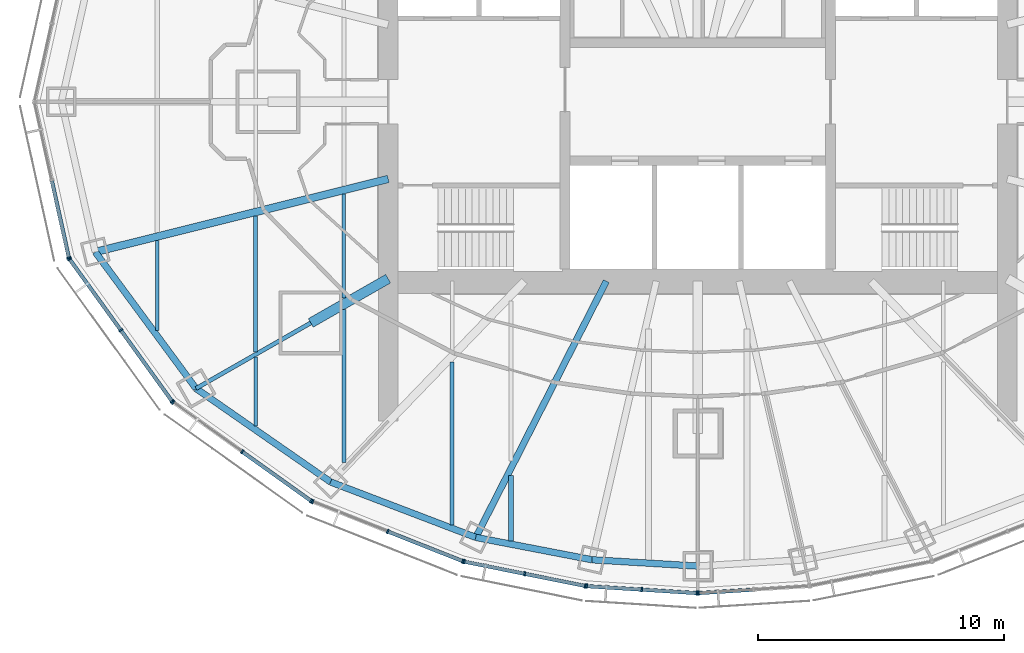
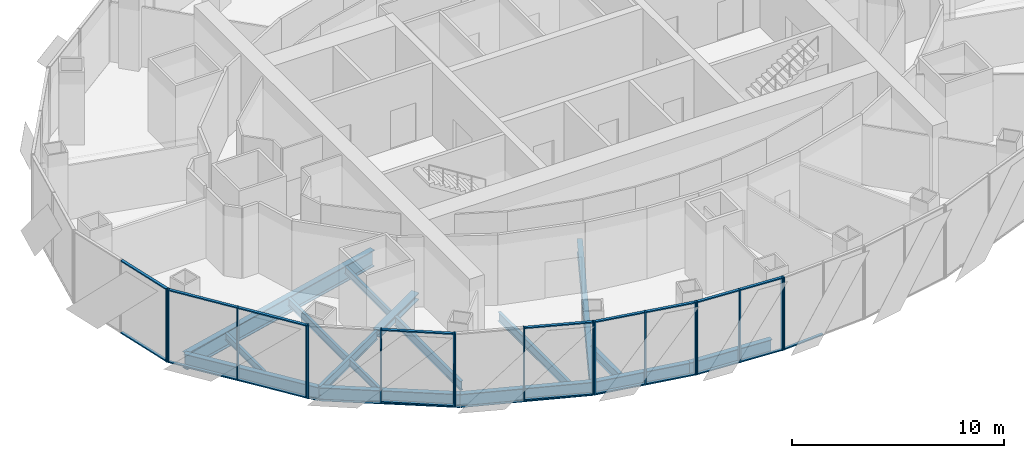
# One storey, part 2 of 17: 36 members, 16 beams, 7 elements without a shape of their own.
"""IFC4 building model written with IfcOpenShell, lengths in metres."""

from ifc_helpers import new_model, si_unit, direction, frame, origin, origin_2d, place, context, subcontext, project, spatial, rectangle, i_section, extrude, material, material_profile, profile_set, type_object, element, aggregate, save


model = new_model("IFC4")

# Units and contexts
model_context = context("Model", 3, precision=1e-05, world=origin(), true_north=direction((0.0, 1.0)))
body_context = subcontext(model_context, "Body", "Model", "MODEL_VIEW")
ifc_project = project(units=[si_unit("LENGTHUNIT", "METRE"), si_unit("AREAUNIT", "SQUARE_METRE"), si_unit("VOLUMEUNIT", "CUBIC_METRE"), si_unit("PLANEANGLEUNIT", "RADIAN"), si_unit("MASSUNIT", "GRAM", prefix="KILO")], contexts=[model_context])

# Site, building, storey
site_placement = place(None, origin())
site = spatial("IfcSite", under=ifc_project, at=site_placement, CompositionType="ELEMENT")
building_placement = place(site_placement, origin())
building = spatial("IfcBuilding", under=site, at=building_placement, Name="Lantaw Convention Tower", CompositionType="ELEMENT")
storey_placement = place(building_placement, frame((0.0, 0.0, 215.800048828125)))
storey = spatial("IfcBuildingStorey", under=building, at=storey_placement, Name="L50", CompositionType="ELEMENT", Elevation=215.800048828125)

# Beams
ifc_material_1 = material(Name="Steel ASTM A992", Category="steel")
ifc_material_profile_1 = material_profile(ifc_material_1, i_section(OverallWidth=0.2666015625, OverallDepth=0.76953125, WebThickness=0.015625, FlangeThickness=0.025390625, FilletRadius=0.0126953125, at=origin_2d()), Name="W30X132")
ifc_profile_set_1 = profile_set([ifc_material_profile_1], Name="Steel ASTM A992")
beam_type_1 = type_object("IfcBeamType", Name="Beam E W30X132", PredefinedType="SPANDREL", material=ifc_profile_set_1)
beam_1_placement = place(storey_placement, frame((-24.52197265625, -6.114013671875, -0.534912109375), z_axis=(0.593639188853, -0.804731329984, 0.0), x_axis=(0.804731329984, 0.593639188853, 0.0)))
element("IfcBeam", 1, at=beam_1_placement, inside=storey, type_object=beam_type_1, Name="Edge beam 14", PredefinedType="SPANDREL", context=body_context, shape_type="SweptSolid", body=[
    extrude(i_section(OverallWidth=0.2666015625, OverallDepth=0.76953125, WebThickness=0.015625, FlangeThickness=0.025390625, FilletRadius=0.0126953125, at=origin_2d()), origin(), (0.0, 0.0, 1.0), 6.904541015625),
])
beam_2_placement = place(storey_placement, frame((-20.423095703125, -11.67041015625, -0.534912109375), z_axis=(0.82135329406, -0.570419815869, 0.0), x_axis=(0.570419815869, 0.82135329406, 0.0)))
element("IfcBeam", 2, at=beam_2_placement, inside=storey, type_object=beam_type_1, Name="Edge beam 15", PredefinedType="SPANDREL", context=body_context, shape_type="SweptSolid", body=[
    extrude(i_section(OverallWidth=0.2666015625, OverallDepth=0.76953125, WebThickness=0.015625, FlangeThickness=0.025390625, FilletRadius=0.0126953125, at=origin_2d()), origin(), (0.0, 0.0, 1.0), 6.67041015625),
])
beam_3_placement = place(storey_placement, frame((-14.9443359375, -15.475341796875, -0.534912109375), z_axis=(0.934234988, -0.356658081637, 0.0), x_axis=(0.356658081637, 0.934234988, 0.0)))
element("IfcBeam", 3, at=beam_3_placement, inside=storey, type_object=beam_type_1, Name="Edge beam 16", PredefinedType="SPANDREL", context=body_context, shape_type="SweptSolid", body=[
    extrude(i_section(OverallWidth=0.2666015625, OverallDepth=0.76953125, WebThickness=0.015625, FlangeThickness=0.025390625, FilletRadius=0.0126953125, at=origin_2d()), origin(), (0.0, 0.0, 1.0), 6.32568359375),
])
beam_4_placement = place(storey_placement, frame((-9.03466796875, -17.7314453125, -0.534912109375), z_axis=(0.981972091702, -0.189025953556, 0.0), x_axis=(0.189025953556, 0.981972091702, 0.0)))
element("IfcBeam", 4, at=beam_4_placement, inside=storey, type_object=beam_type_1, Name="Edge beam 17", PredefinedType="SPANDREL", context=body_context, shape_type="SweptSolid", body=[
    extrude(i_section(OverallWidth=0.2666015625, OverallDepth=0.76953125, WebThickness=0.015625, FlangeThickness=0.025390625, FilletRadius=0.0126953125, at=origin_2d()), origin(), (0.0, 0.0, 1.0), 4.817626953125),
])
beam_5_placement = place(storey_placement, frame((-4.303955078125, -18.64208984375, -0.534912109375), z_axis=(0.998210730897, -0.059794119452, 0.0), x_axis=(0.059794119452, 0.998210730897, 0.0)))
element("IfcBeam", 5, at=beam_5_placement, inside=storey, type_object=beam_type_1, Name="Edge beam 18", PredefinedType="SPANDREL", context=body_context, shape_type="SweptSolid", body=[
    extrude(i_section(OverallWidth=0.2666015625, OverallDepth=0.76953125, WebThickness=0.015625, FlangeThickness=0.025390625, FilletRadius=0.0126953125, at=origin_2d()), origin(), (0.0, 0.0, 1.0), 4.311767578125),
])
ifc_material_profile_2 = material_profile(ifc_material_1, i_section(OverallWidth=0.1650390625, OverallDepth=0.52587890625, WebThickness=0.0087890625, FlangeThickness=0.011474609375, FilletRadius=0.0126953125, at=origin_2d()), Name="W21X44")
ifc_profile_set_2 = profile_set([ifc_material_profile_2], Name="Steel ASTM A992")
beam_type_2 = type_object("IfcBeamType", Name="Beam G W21X44", PredefinedType="BEAM", material=ifc_profile_set_2)
beam_6_placement = place(storey_placement, frame((-15.75, -9.0, -0.412841796875), z_axis=(-0.868237559289, -0.496148708192, 0.0), x_axis=(0.496148708192, -0.868237559289, 0.0)))
element("IfcBeam", 6, at=beam_6_placement, inside=storey, type_object=beam_type_2, Name="Floor girder on ray 15", PredefinedType="BEAM", context=body_context, shape_type="SweptSolid", body=[
    extrude(i_section(OverallWidth=0.1650390625, OverallDepth=0.52587890625, WebThickness=0.0087890625, FlangeThickness=0.011474609375, FilletRadius=0.0126953125, at=origin_2d()), origin(), (0.0, 0.0, 1.0), 5.38232421875),
])
ifc_material_profile_3 = material_profile(ifc_material_1, i_section(OverallWidth=0.2666015625, OverallDepth=0.7568359375, WebThickness=0.013916015625, FlangeThickness=0.019287109375, FilletRadius=0.0126953125, at=origin_2d()), Name="W30X108")
ifc_profile_set_3 = profile_set([ifc_material_profile_3], Name="Steel ASTM A992")
beam_type_3 = type_object("IfcBeamType", Name="Beam G W30X108", PredefinedType="BEAM", material=ifc_profile_set_3)
beam_7_placement = place(storey_placement, frame((-3.719482421875, -7.300048828125, -0.528564453125), z_axis=(-0.4539988787, -0.891002254845, 0.0), x_axis=(0.891002254845, -0.4539988787, 0.0)))
element("IfcBeam", 7, at=beam_7_placement, inside=storey, type_object=beam_type_3, Name="Floor girder on ray 17", PredefinedType="BEAM", context=body_context, shape_type="SweptSolid", body=[
    extrude(i_section(OverallWidth=0.2666015625, OverallDepth=0.7568359375, WebThickness=0.013916015625, FlangeThickness=0.019287109375, FilletRadius=0.0126953125, at=origin_2d()), origin(), (0.0, 0.0, 1.0), 11.70751953125),
])
ifc_material_profile_4 = material_profile(ifc_material_1, i_section(OverallWidth=0.307373046875, OverallDepth=0.9423828125, WebThickness=0.022216796875, FlangeThickness=0.039794921875, FilletRadius=0.0126953125, at=origin_2d()), Name="W36X232")
ifc_profile_set_4 = profile_set([ifc_material_profile_4], Name="Steel ASTM A992")
beam_type_4 = type_object("IfcBeamType", Name="Beam G W36X232", PredefinedType="BEAM", material=ifc_profile_set_4)
beam_8_placement = place(storey_placement, frame((-12.60009765625, -3.1416015625, -0.621337890625), z_axis=(-0.970296589314, -0.241918434119, 0.0), x_axis=(0.241918434119, -0.970296589314, 0.0)))
element("IfcBeam", 8, at=beam_8_placement, inside=storey, type_object=beam_type_4, Name="Floor girder on ray 14", PredefinedType="BEAM", context=body_context, shape_type="SweptSolid", body=[
    extrude(i_section(OverallWidth=0.307373046875, OverallDepth=0.9423828125, WebThickness=0.022216796875, FlangeThickness=0.039794921875, FilletRadius=0.0126953125, at=origin_2d()), origin(), (0.0, 0.0, 1.0), 12.286865234375),
])
ifc_material_profile_5 = material_profile(ifc_material_1, i_section(OverallWidth=0.40380859375, OverallDepth=0.406494140625, WebThickness=0.027099609375, FlangeThickness=0.043701171875, FilletRadius=0.01513671875, at=origin_2d()), Name="W14X233")
ifc_profile_set_5 = profile_set([ifc_material_profile_5], Name="Steel ASTM A992")
beam_type_5 = type_object("IfcBeamType", Name="Beam GM W14X233", PredefinedType="BEAM", material=ifc_profile_set_5)
beam_9_placement = place(storey_placement, frame((-12.60009765625, -7.199951171875, -0.353271484375), z_axis=(-0.868230718294, -0.496160679428, 0.0), x_axis=(0.496160679428, -0.868230718294, 0.0)))
element("IfcBeam", 9, at=beam_9_placement, inside=storey, type_object=beam_type_5, Name="Core link beam on ray 15", PredefinedType="BEAM", context=body_context, shape_type="SweptSolid", body=[
    extrude(i_section(OverallWidth=0.40380859375, OverallDepth=0.406494140625, WebThickness=0.027099609375, FlangeThickness=0.043701171875, FilletRadius=0.01513671875, at=origin_2d()), origin(), (0.0, 0.0, 1.0), 3.6279296875),
])
ifc_material_profile_6 = material_profile(ifc_material_1, i_section(OverallWidth=0.140380859375, OverallDepth=0.40380859375, WebThickness=0.007080078125, FlangeThickness=0.01123046875, FilletRadius=0.01025390625, at=origin_2d()), Name="W16X31")
ifc_profile_set_6 = profile_set([ifc_material_profile_6], Name="Steel ASTM A992")
beam_type_6 = type_object("IfcBeamType", Name="Beam J W16X31", PredefinedType="JOIST", material=ifc_profile_set_6)
beam_10_placement = place(storey_placement, frame((-22.0, -9.30810546875, -0.35205078125), z_axis=(0.0, 1.0, 0.0), x_axis=(-1.0, 0.0, 0.0)))
element("IfcBeam", 10, at=beam_10_placement, inside=storey, type_object=beam_type_6, Name="Floor joist", PredefinedType="JOIST", context=body_context, shape_type="SweptSolid", body=[
    extrude(i_section(OverallWidth=0.140380859375, OverallDepth=0.40380859375, WebThickness=0.007080078125, FlangeThickness=0.01123046875, FilletRadius=0.01025390625, at=origin_2d()), origin(), (0.0, 0.0, 1.0), 3.66455078125),
])
beam_11_placement = place(storey_placement, frame((-18.0, -13.19091796875, -0.35205078125), z_axis=(0.0, 1.0, 0.0), x_axis=(-1.0, 0.0, 0.0)))
element("IfcBeam", 11, at=beam_11_placement, inside=storey, type_object=beam_type_6, Name="Floor joist", PredefinedType="JOIST", context=body_context, shape_type="SweptSolid", body=[
    extrude(i_section(OverallWidth=0.140380859375, OverallDepth=0.40380859375, WebThickness=0.007080078125, FlangeThickness=0.01123046875, FilletRadius=0.01025390625, at=origin_2d()), origin(), (0.0, 0.0, 1.0), 2.81005859375),
])
beam_12_placement = place(storey_placement, frame((-14.39990234375, -7.99609375, -0.35205078125), z_axis=(0.0, 1.0, 0.0), x_axis=(-1.0, 0.0, 0.0)))
element("IfcBeam", 12, at=beam_12_placement, inside=storey, type_object=beam_type_6, Name="Floor joist", PredefinedType="JOIST", context=body_context, shape_type="SweptSolid", body=[
    extrude(i_section(OverallWidth=0.140380859375, OverallDepth=0.40380859375, WebThickness=0.007080078125, FlangeThickness=0.01123046875, FilletRadius=0.01025390625, at=origin_2d()), origin(), (0.0, 0.0, 1.0), 4.247314453125),
])
ifc_material_profile_7 = material_profile(ifc_material_1, i_section(OverallWidth=0.15234375, OverallDepth=0.449462890625, WebThickness=0.007568359375, FlangeThickness=0.0107421875, FilletRadius=0.01025390625, at=origin_2d()), Name="W18X35")
ifc_profile_set_7 = profile_set([ifc_material_profile_7], Name="Steel ASTM A992")
beam_type_7 = type_object("IfcBeamType", Name="Beam J W18X35", PredefinedType="JOIST", material=ifc_profile_set_7)
beam_13_placement = place(storey_placement, frame((-18.0, -10.190673828125, -0.374755859375), z_axis=(0.0, 1.0, 0.0), x_axis=(-1.0, 0.0, 0.0)))
element("IfcBeam", 13, at=beam_13_placement, inside=storey, type_object=beam_type_7, Name="Floor joist", PredefinedType="JOIST", context=body_context, shape_type="SweptSolid", body=[
    extrude(i_section(OverallWidth=0.15234375, OverallDepth=0.449462890625, WebThickness=0.007568359375, FlangeThickness=0.0107421875, FilletRadius=0.01025390625, at=origin_2d()), origin(), (0.0, 0.0, 1.0), 5.54443359375),
])
ifc_material_profile_8 = material_profile(ifc_material_1, i_section(OverallWidth=0.1650390625, OverallDepth=0.52587890625, WebThickness=0.0087890625, FlangeThickness=0.011474609375, FilletRadius=0.0126953125, at=origin_2d()), Name="W21X44")
ifc_profile_set_8 = profile_set([ifc_material_profile_8], Name="Steel ASTM A992")
beam_type_8 = type_object("IfcBeamType", Name="Beam J W21X44", PredefinedType="JOIST", material=ifc_profile_set_8)
beam_14_placement = place(storey_placement, frame((-14.39990234375, -14.67578125, -0.412841796875), z_axis=(0.0, 1.0, 0.0), x_axis=(-1.0, 0.0, 0.0)))
element("IfcBeam", 14, at=beam_14_placement, inside=storey, type_object=beam_type_8, Name="Floor joist", PredefinedType="JOIST", context=body_context, shape_type="SweptSolid", body=[
    extrude(i_section(OverallWidth=0.1650390625, OverallDepth=0.52587890625, WebThickness=0.0087890625, FlangeThickness=0.011474609375, FilletRadius=0.0126953125, at=origin_2d()), origin(), (0.0, 0.0, 1.0), 6.214599609375),
])
beam_15_placement = place(storey_placement, frame((-10.0, -17.22021484375, -0.412841796875), z_axis=(0.0, 1.0, 0.0), x_axis=(-1.0, 0.0, 0.0)))
element("IfcBeam", 15, at=beam_15_placement, inside=storey, type_object=beam_type_8, Name="Floor joist", PredefinedType="JOIST", context=body_context, shape_type="SweptSolid", body=[
    extrude(i_section(OverallWidth=0.1650390625, OverallDepth=0.52587890625, WebThickness=0.0087890625, FlangeThickness=0.011474609375, FilletRadius=0.0126953125, at=origin_2d()), origin(), (0.0, 0.0, 1.0), 6.629150390625),
])
ifc_material_profile_9 = material_profile(ifc_material_1, i_section(OverallWidth=0.2099609375, OverallDepth=0.535888671875, WebThickness=0.010986328125, FlangeThickness=0.017333984375, FilletRadius=0.012939453125, at=origin_2d()), Name="W21X68")
ifc_profile_set_9 = profile_set([ifc_material_profile_9], Name="Steel ASTM A992")
beam_type_9 = type_object("IfcBeamType", Name="Beam J W21X68", PredefinedType="JOIST", material=ifc_profile_set_9)
beam_16_placement = place(storey_placement, frame((-7.60009765625, -17.871826171875, -0.41796875), z_axis=(0.0, 1.0, 0.0), x_axis=(-1.0, 0.0, 0.0)))
element("IfcBeam", 16, at=beam_16_placement, inside=storey, type_object=beam_type_9, Name="Floor joist", PredefinedType="JOIST", context=body_context, shape_type="SweptSolid", body=[
    extrude(i_section(OverallWidth=0.2099609375, OverallDepth=0.535888671875, WebThickness=0.010986328125, FlangeThickness=0.017333984375, FilletRadius=0.012939453125, at=origin_2d()), origin(), (0.0, 0.0, 1.0), 2.662353515625),
])

# Curtain wall, member
ifc_material_2 = material(Name="Aluminium framed curtain wall", Category="aluminium")
curtain_wall_type = type_object("IfcCurtainWallType", Name="Office curtain wall high rise, pale aluminium", PredefinedType="USERDEFINED", material=ifc_material_2)
curtain_wall_1_placement = place(storey_placement, origin())
curtain_wall_1 = element("IfcCurtainWall", 17, at=curtain_wall_1_placement, inside=storey, type_object=curtain_wall_type, Name="Office curtain wall high rise, pale aluminium L50", ObjectType="UNITISED CURTAIN WALL", PredefinedType="USERDEFINED")
ifc_material_3 = material(Name="Aluminium 6063-T6", Category="aluminium")
ifc_material_profile_10 = material_profile(ifc_material_3, rectangle(XDim=0.179931640625, YDim=0.06494140625, at=origin_2d()), Name="CW-O2 mullion 65x180")
ifc_profile_set_10 = profile_set([ifc_material_profile_10], Name="Aluminium 6063-T6")
member_type_1 = type_object("IfcMemberType", Name="CW-O2 mullion 65x180", PredefinedType="MULLION", material=ifc_profile_set_10)
member_1_placement = place(storey_placement, frame((-25.596435546875, -6.348388671875, -0.150146484375), z_axis=(0.0, 0.0, 1.0), x_axis=(0.976417396437, 0.215891333626, 0.0)))
member_1 = element("IfcMember", 18, at=member_1_placement, type_object=member_type_1, Name="CW-O2 mullion 3", PredefinedType="MULLION", context=body_context, shape_type="SweptSolid", body=[
    extrude(rectangle(XDim=0.179931640625, YDim=0.06494140625, at=origin_2d()), origin(), (0.0, 0.0, 1.0), 4.2001953125),
])

# Curtain wall, members
curtain_wall_2_placement = place(storey_placement, origin())
curtain_wall_2 = element("IfcCurtainWall", 19, at=curtain_wall_2_placement, inside=storey, type_object=curtain_wall_type, Name="Office curtain wall high rise, pale aluminium L50", ObjectType="UNITISED CURTAIN WALL", PredefinedType="USERDEFINED")
member_2_placement = place(storey_placement, frame((-25.5703125, -6.406494140625, -0.150146484375), z_axis=(0.0, 0.0, 1.0), x_axis=(0.810919559405, 0.585157643865, 0.0)))
member_2 = element("IfcMember", 20, at=member_2_placement, type_object=member_type_1, Name="CW-O2 mullion 1", PredefinedType="MULLION", context=body_context, shape_type="SweptSolid", body=[
    extrude(rectangle(XDim=0.179931640625, YDim=0.06494140625, at=origin_2d()), origin(), (0.0, 0.0, 1.0), 4.2001953125),
])
member_3_placement = place(storey_placement, frame((-23.483642578125, -9.298095703125, -0.150146484375), z_axis=(0.0, 0.0, 1.0), x_axis=(0.810919559405, 0.585157643865, 0.0)))
member_3 = element("IfcMember", 21, at=member_3_placement, type_object=member_type_1, Name="CW-O2 mullion 2", PredefinedType="MULLION", context=body_context, shape_type="SweptSolid", body=[
    extrude(rectangle(XDim=0.179931640625, YDim=0.06494140625, at=origin_2d()), origin(), (0.0, 0.0, 1.0), 4.2001953125),
])
member_4_placement = place(storey_placement, frame((-21.397216796875, -12.189697265625, -0.150146484375), z_axis=(0.0, 0.0, 1.0), x_axis=(0.810919559405, 0.585157643865, 0.0)))
member_4 = element("IfcMember", 22, at=member_4_placement, type_object=member_type_1, Name="CW-O2 mullion 3", PredefinedType="MULLION", context=body_context, shape_type="SweptSolid", body=[
    extrude(rectangle(XDim=0.179931640625, YDim=0.06494140625, at=origin_2d()), origin(), (0.0, 0.0, 1.0), 4.2001953125),
])

curtain_wall_3_placement = place(storey_placement, origin())
curtain_wall_3 = element("IfcCurtainWall", 23, at=curtain_wall_3_placement, inside=storey, type_object=curtain_wall_type, Name="Office curtain wall high rise, pale aluminium L50", ObjectType="UNITISED CURTAIN WALL", PredefinedType="USERDEFINED")
member_5_placement = place(storey_placement, frame((-21.3515625, -12.23486328125, -0.150146484375), z_axis=(0.0, 0.0, 1.0), x_axis=(0.581323487281, 0.813672540482, 0.0)))
member_5 = element("IfcMember", 24, at=member_5_placement, type_object=member_type_1, Name="CW-O2 mullion 1", PredefinedType="MULLION", context=body_context, shape_type="SweptSolid", body=[
    extrude(rectangle(XDim=0.179931640625, YDim=0.06494140625, at=origin_2d()), origin(), (0.0, 0.0, 1.0), 4.2001953125),
])
member_6_placement = place(storey_placement, frame((-18.543212890625, -14.241455078125, -0.150146484375), z_axis=(0.0, 0.0, 1.0), x_axis=(0.581323487281, 0.813672540482, 0.0)))
member_6 = element("IfcMember", 25, at=member_6_placement, type_object=member_type_1, Name="CW-O2 mullion 2", PredefinedType="MULLION", context=body_context, shape_type="SweptSolid", body=[
    extrude(rectangle(XDim=0.179931640625, YDim=0.06494140625, at=origin_2d()), origin(), (0.0, 0.0, 1.0), 4.2001953125),
])
member_7_placement = place(storey_placement, frame((-15.73486328125, -16.247802734375, -0.150146484375), z_axis=(0.0, 0.0, 1.0), x_axis=(0.581323487281, 0.813672540482, 0.0)))
member_7 = element("IfcMember", 26, at=member_7_placement, type_object=member_type_1, Name="CW-O2 mullion 3", PredefinedType="MULLION", context=body_context, shape_type="SweptSolid", body=[
    extrude(rectangle(XDim=0.179931640625, YDim=0.06494140625, at=origin_2d()), origin(), (0.0, 0.0, 1.0), 4.2001953125),
])

curtain_wall_4_placement = place(storey_placement, origin())
curtain_wall_4 = element("IfcCurtainWall", 27, at=curtain_wall_4_placement, inside=storey, type_object=curtain_wall_type, Name="Office curtain wall high rise, pale aluminium L50", ObjectType="UNITISED CURTAIN WALL", PredefinedType="USERDEFINED")
member_8_placement = place(storey_placement, frame((-15.67822265625, -16.278564453125, -0.150146484375), z_axis=(0.0, 0.0, 1.0), x_axis=(0.368162315252, 0.929761533743, 0.0)))
member_8 = element("IfcMember", 28, at=member_8_placement, type_object=member_type_1, Name="CW-O2 mullion 1", PredefinedType="MULLION", context=body_context, shape_type="SweptSolid", body=[
    extrude(rectangle(XDim=0.179931640625, YDim=0.06494140625, at=origin_2d()), origin(), (0.0, 0.0, 1.0), 4.2001953125),
])
member_9_placement = place(storey_placement, frame((-12.621337890625, -17.4892578125, -0.150146484375), z_axis=(0.0, 0.0, 1.0), x_axis=(0.368162315252, 0.929761533743, 0.0)))
member_9 = element("IfcMember", 29, at=member_9_placement, type_object=member_type_1, Name="CW-O2 mullion 2", PredefinedType="MULLION", context=body_context, shape_type="SweptSolid", body=[
    extrude(rectangle(XDim=0.179931640625, YDim=0.06494140625, at=origin_2d()), origin(), (0.0, 0.0, 1.0), 4.2001953125),
])
member_10_placement = place(storey_placement, frame((-9.564208984375, -18.69970703125, -0.150146484375), z_axis=(0.0, 0.0, 1.0), x_axis=(0.368162315252, 0.929761533743, 0.0)))
member_10 = element("IfcMember", 30, at=member_10_placement, type_object=member_type_1, Name="CW-O2 mullion 3", PredefinedType="MULLION", context=body_context, shape_type="SweptSolid", body=[
    extrude(rectangle(XDim=0.179931640625, YDim=0.06494140625, at=origin_2d()), origin(), (0.0, 0.0, 1.0), 4.2001953125),
])

curtain_wall_5_placement = place(storey_placement, origin())
curtain_wall_5 = element("IfcCurtainWall", 31, at=curtain_wall_5_placement, inside=storey, type_object=curtain_wall_type, Name="Office curtain wall high rise, pale aluminium L50", ObjectType="UNITISED CURTAIN WALL", PredefinedType="USERDEFINED")
member_11_placement = place(storey_placement, frame((-9.502197265625, -18.718017578125, -0.150146484375), z_axis=(0.0, 0.0, 1.0), x_axis=(0.197183095987, 0.980366679695, 0.0)))
member_11 = element("IfcMember", 32, at=member_11_placement, type_object=member_type_1, Name="CW-O2 mullion 1", PredefinedType="MULLION", context=body_context, shape_type="SweptSolid", body=[
    extrude(rectangle(XDim=0.179931640625, YDim=0.06494140625, at=origin_2d()), origin(), (0.0, 0.0, 1.0), 4.2001953125),
])
member_12_placement = place(storey_placement, frame((-7.042724609375, -19.212646484375, -0.150146484375), z_axis=(0.0, 0.0, 1.0), x_axis=(0.197183095987, 0.980366679695, 0.0)))
member_12 = element("IfcMember", 33, at=member_12_placement, type_object=member_type_1, Name="CW-O2 mullion 2", PredefinedType="MULLION", context=body_context, shape_type="SweptSolid", body=[
    extrude(rectangle(XDim=0.179931640625, YDim=0.06494140625, at=origin_2d()), origin(), (0.0, 0.0, 1.0), 4.2001953125),
])
member_13_placement = place(storey_placement, frame((-4.583251953125, -19.70751953125, -0.150146484375), z_axis=(0.0, 0.0, 1.0), x_axis=(0.197183095987, 0.980366679695, 0.0)))
member_13 = element("IfcMember", 34, at=member_13_placement, type_object=member_type_1, Name="CW-O2 mullion 3", PredefinedType="MULLION", context=body_context, shape_type="SweptSolid", body=[
    extrude(rectangle(XDim=0.179931640625, YDim=0.06494140625, at=origin_2d()), origin(), (0.0, 0.0, 1.0), 4.2001953125),
])

curtain_wall_6_placement = place(storey_placement, origin())
curtain_wall_6 = element("IfcCurtainWall", 35, at=curtain_wall_6_placement, inside=storey, type_object=curtain_wall_type, Name="Office curtain wall high rise, pale aluminium L50", ObjectType="UNITISED CURTAIN WALL", PredefinedType="USERDEFINED")
member_14_placement = place(storey_placement, frame((-4.518798828125, -19.7158203125, -0.150146484375), z_axis=(0.0, 0.0, 1.0), x_axis=(0.062757983884, 0.998028774865, 0.0)))
member_14 = element("IfcMember", 36, at=member_14_placement, type_object=member_type_1, Name="CW-O2 mullion 1", PredefinedType="MULLION", context=body_context, shape_type="SweptSolid", body=[
    extrude(rectangle(XDim=0.179931640625, YDim=0.06494140625, at=origin_2d()), origin(), (0.0, 0.0, 1.0), 4.2001953125),
])
member_15_placement = place(storey_placement, frame((-2.275634765625, -19.85693359375, -0.150146484375), z_axis=(0.0, 0.0, 1.0), x_axis=(0.062757983884, 0.998028774865, 0.0)))
member_15 = element("IfcMember", 37, at=member_15_placement, type_object=member_type_1, Name="CW-O2 mullion 2", PredefinedType="MULLION", context=body_context, shape_type="SweptSolid", body=[
    extrude(rectangle(XDim=0.179931640625, YDim=0.06494140625, at=origin_2d()), origin(), (0.0, 0.0, 1.0), 4.2001953125),
])
member_16_placement = place(storey_placement, frame((-0.032470703125, -19.998046875, -0.150146484375), z_axis=(0.0, 0.0, 1.0), x_axis=(0.062757983884, 0.998028774865, 0.0)))
member_16 = element("IfcMember", 38, at=member_16_placement, type_object=member_type_1, Name="CW-O2 mullion 3", PredefinedType="MULLION", context=body_context, shape_type="SweptSolid", body=[
    extrude(rectangle(XDim=0.179931640625, YDim=0.06494140625, at=origin_2d()), origin(), (0.0, 0.0, 1.0), 4.2001953125),
])

# Curtain wall, member
curtain_wall_7_placement = place(storey_placement, origin())
curtain_wall_7 = element("IfcCurtainWall", 39, at=curtain_wall_7_placement, inside=storey, type_object=curtain_wall_type, Name="Office curtain wall high rise, pale aluminium L50", ObjectType="UNITISED CURTAIN WALL", PredefinedType="USERDEFINED")
member_17_placement = place(storey_placement, frame((0.032470703125, -19.998046875, -0.150146484375), z_axis=(0.0, 0.0, 1.0), x_axis=(-0.062757983884, 0.998028774865, 0.0)))
member_17 = element("IfcMember", 40, at=member_17_placement, type_object=member_type_1, Name="CW-O2 mullion 1", PredefinedType="MULLION", context=body_context, shape_type="SweptSolid", body=[
    extrude(rectangle(XDim=0.179931640625, YDim=0.06494140625, at=origin_2d()), origin(), (0.0, 0.0, 1.0), 4.2001953125),
])

# Member
ifc_material_profile_11 = material_profile(ifc_material_3, rectangle(XDim=0.14990234375, YDim=0.06494140625, at=origin_2d()), Name="CW-O2 transom 65x150")
ifc_profile_set_11 = profile_set([ifc_material_profile_11], Name="Aluminium 6063-T6")
member_type_2 = type_object("IfcMemberType", Name="CW-O2 transom 65x150", PredefinedType="USERDEFINED", material=ifc_profile_set_11)
member_18_placement = place(storey_placement, frame((-26.28759765625, -3.2216796875, -0.117431640625), z_axis=(0.215894607042, -0.976416672661, 0.0), x_axis=(0.976416672661, 0.215894607042, 0.0)))
member_18 = element("IfcMember", 41, at=member_18_placement, type_object=member_type_2, Name="CW-O2 transom 2.1", ObjectType="TRANSOM", PredefinedType="USERDEFINED", context=body_context, shape_type="SweptSolid", body=[
    extrude(rectangle(XDim=0.14990234375, YDim=0.06494140625, at=origin_2d()), origin(), (0.0, 0.0, 1.0), 3.169677734375),
])

member_19_placement = place(storey_placement, frame((-26.28759765625, -3.2216796875, 4.017333984375), z_axis=(0.215894607042, -0.976416672661, 0.0), x_axis=(0.976416672661, 0.215894607042, 0.0)))
member_19 = element("IfcMember", 42, at=member_19_placement, type_object=member_type_2, Name="CW-O2 transom 2.2", ObjectType="TRANSOM", PredefinedType="USERDEFINED", context=body_context, shape_type="SweptSolid", body=[
    extrude(rectangle(XDim=0.14990234375, YDim=0.06494140625, at=origin_2d()), origin(), (0.0, 0.0, 1.0), 3.169677734375),
])

aggregate(curtain_wall_1, [member_1, member_18, member_19])

member_20_placement = place(storey_placement, frame((-25.55126953125, -6.432861328125, -0.117431640625), z_axis=(0.585169685931, -0.810910869743, 0.0), x_axis=(0.810910869743, 0.585169685931, 0.0)))
member_20 = element("IfcMember", 43, at=member_20_placement, type_object=member_type_2, Name="CW-O2 transom 1.1", ObjectType="TRANSOM", PredefinedType="USERDEFINED", context=body_context, shape_type="SweptSolid", body=[
    extrude(rectangle(XDim=0.14990234375, YDim=0.06494140625, at=origin_2d()), origin(), (0.0, 0.0, 1.0), 3.500732421875),
])

member_21_placement = place(storey_placement, frame((-25.55126953125, -6.432861328125, 4.017333984375), z_axis=(0.585169685931, -0.810910869743, 0.0), x_axis=(0.810910869743, 0.585169685931, 0.0)))
member_21 = element("IfcMember", 44, at=member_21_placement, type_object=member_type_2, Name="CW-O2 transom 1.2", ObjectType="TRANSOM", PredefinedType="USERDEFINED", context=body_context, shape_type="SweptSolid", body=[
    extrude(rectangle(XDim=0.14990234375, YDim=0.06494140625, at=origin_2d()), origin(), (0.0, 0.0, 1.0), 3.500732421875),
])

member_22_placement = place(storey_placement, frame((-23.464599609375, -9.324462890625, -0.117431640625), z_axis=(0.585123825205, -0.810943961798, 0.0), x_axis=(0.810943961798, 0.585123825205, 0.0)))
member_22 = element("IfcMember", 45, at=member_22_placement, type_object=member_type_2, Name="CW-O2 transom 2.1", ObjectType="TRANSOM", PredefinedType="USERDEFINED", context=body_context, shape_type="SweptSolid", body=[
    extrude(rectangle(XDim=0.14990234375, YDim=0.06494140625, at=origin_2d()), origin(), (0.0, 0.0, 1.0), 3.500732421875),
])

member_23_placement = place(storey_placement, frame((-23.464599609375, -9.324462890625, 4.017333984375), z_axis=(0.585123825205, -0.810943961798, 0.0), x_axis=(0.810943961798, 0.585123825205, 0.0)))
member_23 = element("IfcMember", 46, at=member_23_placement, type_object=member_type_2, Name="CW-O2 transom 2.2", ObjectType="TRANSOM", PredefinedType="USERDEFINED", context=body_context, shape_type="SweptSolid", body=[
    extrude(rectangle(XDim=0.14990234375, YDim=0.06494140625, at=origin_2d()), origin(), (0.0, 0.0, 1.0), 3.500732421875),
])

aggregate(curtain_wall_2, [member_2, member_3, member_4, member_20, member_21, member_22, member_23])

member_24_placement = place(storey_placement, frame((-18.516845703125, -14.26025390625, -0.117431640625), z_axis=(0.813645780821, -0.581360940683, 0.0), x_axis=(0.581360940683, 0.813645780821, 0.0)))
member_24 = element("IfcMember", 47, at=member_24_placement, type_object=member_type_2, Name="CW-O2 transom 2.1", ObjectType="TRANSOM", PredefinedType="USERDEFINED", context=body_context, shape_type="SweptSolid", body=[
    extrude(rectangle(XDim=0.14990234375, YDim=0.06494140625, at=origin_2d()), origin(), (0.0, 0.0, 1.0), 3.386474609375),
])

member_25_placement = place(storey_placement, frame((-18.516845703125, -14.26025390625, 4.017333984375), z_axis=(0.813645780821, -0.581360940683, 0.0), x_axis=(0.581360940683, 0.813645780821, 0.0)))
member_25 = element("IfcMember", 48, at=member_25_placement, type_object=member_type_2, Name="CW-O2 transom 2.2", ObjectType="TRANSOM", PredefinedType="USERDEFINED", context=body_context, shape_type="SweptSolid", body=[
    extrude(rectangle(XDim=0.14990234375, YDim=0.06494140625, at=origin_2d()), origin(), (0.0, 0.0, 1.0), 3.386474609375),
])

aggregate(curtain_wall_3, [member_5, member_6, member_7, member_24, member_25])

member_26_placement = place(storey_placement, frame((-12.591064453125, -17.501220703125, -0.117431640625), z_axis=(0.929766642946, -0.368149412149, 0.0), x_axis=(0.368149412149, 0.929766642946, 0.0)))
member_26 = element("IfcMember", 49, at=member_26_placement, type_object=member_type_2, Name="CW-O2 transom 2.1", ObjectType="TRANSOM", PredefinedType="USERDEFINED", context=body_context, shape_type="SweptSolid", body=[
    extrude(rectangle(XDim=0.14990234375, YDim=0.06494140625, at=origin_2d()), origin(), (0.0, 0.0, 1.0), 3.222900390625),
])

member_27_placement = place(storey_placement, frame((-12.591064453125, -17.501220703125, 4.017333984375), z_axis=(0.929766642946, -0.368149412149, 0.0), x_axis=(0.368149412149, 0.929766642946, 0.0)))
member_27 = element("IfcMember", 50, at=member_27_placement, type_object=member_type_2, Name="CW-O2 transom 2.2", ObjectType="TRANSOM", PredefinedType="USERDEFINED", context=body_context, shape_type="SweptSolid", body=[
    extrude(rectangle(XDim=0.14990234375, YDim=0.06494140625, at=origin_2d()), origin(), (0.0, 0.0, 1.0), 3.222900390625),
])

aggregate(curtain_wall_4, [member_8, member_9, member_10, member_26, member_27])

member_28_placement = place(storey_placement, frame((-9.47021484375, -18.724365234375, -0.117431640625), z_axis=(0.98036104319, -0.197211117829, 0.0), x_axis=(0.197211117829, 0.98036104319, 0.0)))
member_28 = element("IfcMember", 51, at=member_28_placement, type_object=member_type_2, Name="CW-O2 transom 1.1", ObjectType="TRANSOM", PredefinedType="USERDEFINED", context=body_context, shape_type="SweptSolid", body=[
    extrude(rectangle(XDim=0.14990234375, YDim=0.06494140625, at=origin_2d()), origin(), (0.0, 0.0, 1.0), 2.44384765625),
])

member_29_placement = place(storey_placement, frame((-9.47021484375, -18.724365234375, 4.017333984375), z_axis=(0.98036104319, -0.197211117829, 0.0), x_axis=(0.197211117829, 0.98036104319, 0.0)))
member_29 = element("IfcMember", 52, at=member_29_placement, type_object=member_type_2, Name="CW-O2 transom 1.2", ObjectType="TRANSOM", PredefinedType="USERDEFINED", context=body_context, shape_type="SweptSolid", body=[
    extrude(rectangle(XDim=0.14990234375, YDim=0.06494140625, at=origin_2d()), origin(), (0.0, 0.0, 1.0), 2.44384765625),
])

member_30_placement = place(storey_placement, frame((-7.0107421875, -19.21923828125, -0.117431640625), z_axis=(0.980380354178, -0.197115096178, 0.0), x_axis=(0.197115096178, 0.980380354178, 0.0)))
member_30 = element("IfcMember", 53, at=member_30_placement, type_object=member_type_2, Name="CW-O2 transom 2.1", ObjectType="TRANSOM", PredefinedType="USERDEFINED", context=body_context, shape_type="SweptSolid", body=[
    extrude(rectangle(XDim=0.14990234375, YDim=0.06494140625, at=origin_2d()), origin(), (0.0, 0.0, 1.0), 2.443603515625),
])

member_31_placement = place(storey_placement, frame((-7.0107421875, -19.21923828125, 4.017333984375), z_axis=(0.980380354178, -0.197115096178, 0.0), x_axis=(0.197115096178, 0.980380354178, 0.0)))
member_31 = element("IfcMember", 54, at=member_31_placement, type_object=member_type_2, Name="CW-O2 transom 2.2", ObjectType="TRANSOM", PredefinedType="USERDEFINED", context=body_context, shape_type="SweptSolid", body=[
    extrude(rectangle(XDim=0.14990234375, YDim=0.06494140625, at=origin_2d()), origin(), (0.0, 0.0, 1.0), 2.443603515625),
])

aggregate(curtain_wall_5, [member_11, member_12, member_13, member_28, member_29, member_30, member_31])

member_32_placement = place(storey_placement, frame((-4.486328125, -19.7177734375, -0.117431640625), z_axis=(0.998021991509, -0.062865765437, 0.0), x_axis=(0.062865765437, 0.998021991509, 0.0)))
member_32 = element("IfcMember", 55, at=member_32_placement, type_object=member_type_2, Name="CW-O2 transom 1.1", ObjectType="TRANSOM", PredefinedType="USERDEFINED", context=body_context, shape_type="SweptSolid", body=[
    extrude(rectangle(XDim=0.14990234375, YDim=0.06494140625, at=origin_2d()), origin(), (0.0, 0.0, 1.0), 2.1826171875),
])

member_33_placement = place(storey_placement, frame((-4.486328125, -19.7177734375, 4.017333984375), z_axis=(0.998021991509, -0.062865765437, 0.0), x_axis=(0.062865765437, 0.998021991509, 0.0)))
member_33 = element("IfcMember", 56, at=member_33_placement, type_object=member_type_2, Name="CW-O2 transom 1.2", ObjectType="TRANSOM", PredefinedType="USERDEFINED", context=body_context, shape_type="SweptSolid", body=[
    extrude(rectangle(XDim=0.14990234375, YDim=0.06494140625, at=origin_2d()), origin(), (0.0, 0.0, 1.0), 2.1826171875),
])

member_34_placement = place(storey_placement, frame((-2.2431640625, -19.85888671875, -0.117431640625), z_axis=(0.998029003644, -0.062754345555, 0.0), x_axis=(0.062754345555, 0.998029003644, 0.0)))
member_34 = element("IfcMember", 57, at=member_34_placement, type_object=member_type_2, Name="CW-O2 transom 2.1", ObjectType="TRANSOM", PredefinedType="USERDEFINED", context=body_context, shape_type="SweptSolid", body=[
    extrude(rectangle(XDim=0.14990234375, YDim=0.06494140625, at=origin_2d()), origin(), (0.0, 0.0, 1.0), 2.1826171875),
])

member_35_placement = place(storey_placement, frame((-2.2431640625, -19.85888671875, 4.017333984375), z_axis=(0.998029003644, -0.062754345555, 0.0), x_axis=(0.062754345555, 0.998029003644, 0.0)))
member_35 = element("IfcMember", 58, at=member_35_placement, type_object=member_type_2, Name="CW-O2 transom 2.2", ObjectType="TRANSOM", PredefinedType="USERDEFINED", context=body_context, shape_type="SweptSolid", body=[
    extrude(rectangle(XDim=0.14990234375, YDim=0.06494140625, at=origin_2d()), origin(), (0.0, 0.0, 1.0), 2.1826171875),
])

aggregate(curtain_wall_6, [member_14, member_15, member_16, member_32, member_33, member_34, member_35])

member_36_placement = place(storey_placement, frame((0.06494140625, -19.995849609375, -0.117431640625), z_axis=(0.998029003644, 0.062754345555, 0.0), x_axis=(-0.062754345555, 0.998029003644, 0.0)))
member_36 = element("IfcMember", 59, at=member_36_placement, type_object=member_type_2, Name="CW-O2 transom 1.1", ObjectType="TRANSOM", PredefinedType="USERDEFINED", context=body_context, shape_type="SweptSolid", body=[
    extrude(rectangle(XDim=0.14990234375, YDim=0.06494140625, at=origin_2d()), origin(), (0.0, 0.0, 1.0), 2.1826171875),
])

aggregate(curtain_wall_7, [member_17, member_36])

save(model, "model.ifc")
